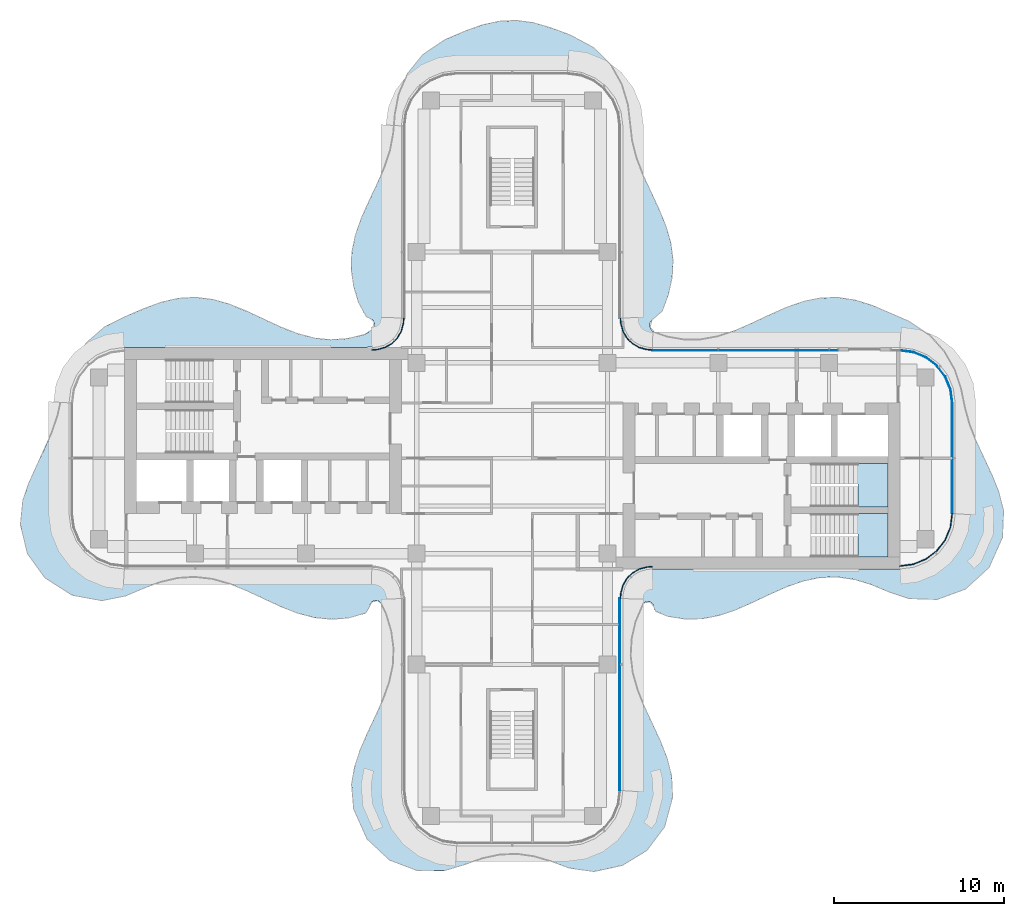
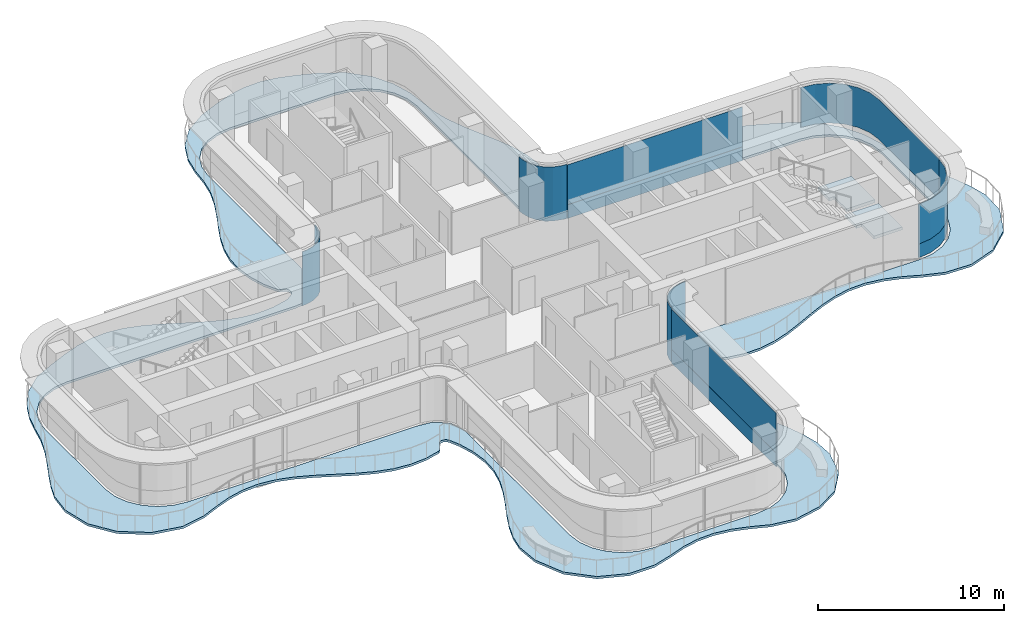
# One storey, part 9 of 17: 10 plates, 3 slabs, 9 elements without a shape of their own.
"""IFC4 building model written with IfcOpenShell, lengths in metres."""

from ifc_helpers import new_model, si_unit, direction, frame, origin, place, context, subcontext, project, spatial, polyline, outline, extrude, source, transform, mapped, material, layer, layer_set, type_object, element, aggregate, save


model = new_model("IFC4")

# Units and contexts
model_context = context("Model", 3, precision=1e-05, world=origin(), true_north=direction((0.0, 1.0)))
body_context = subcontext(model_context, "Body", "Model", "MODEL_VIEW")
ifc_project = project(units=[si_unit("LENGTHUNIT", "METRE"), si_unit("AREAUNIT", "SQUARE_METRE"), si_unit("VOLUMEUNIT", "CUBIC_METRE"), si_unit("PLANEANGLEUNIT", "RADIAN"), si_unit("MASSUNIT", "GRAM", prefix="KILO")], contexts=[model_context])

# Site, building, storey
site_placement = place(None, origin())
site = spatial("IfcSite", under=ifc_project, at=site_placement, CompositionType="ELEMENT")
building_placement = place(site_placement, origin())
building = spatial("IfcBuilding", under=site, at=building_placement, Name="Trellis Farm Tower", CompositionType="ELEMENT")
storey_placement = place(building_placement, frame((0.0, 0.0, 295.0)))
storey = spatial("IfcBuildingStorey", under=building, at=storey_placement, Name="L66", CompositionType="ELEMENT", Elevation=295.0)

# Slab
ifc_material_1 = material(Name="Concrete C40/50", Category="concrete")
ifc_layer_1 = layer(ifc_material_1, 0.14990234375)
ifc_layer_set_1 = layer_set([ifc_layer_1], Name="Balcony slab 150")
slab_type_1 = type_object("IfcSlabType", Name="Balcony slab 150", PredefinedType="FLOOR", material=ifc_layer_set_1)
slab_1_placement = place(storey_placement, frame((0.0, 0.0, -0.14990234375)))
element("IfcSlab", 1, at=slab_1_placement, inside=storey, type_object=slab_type_1, Name="Balcony slab", PredefinedType="FLOOR", context=body_context, shape_type="SweptSolid", body=[
    extrude(outline(polyline([(-19.635986328125, -7.02197265625), (-20.61669921875, -7.2529296875), (-20.62548828125, -7.255615234375), (-21.589111328125, -7.6123046875), (-21.592529296875, -7.61376953125), (-22.6533203125, -8.066650390625), (-22.6826171875, -8.075927734375), (-24.070556640625, -8.35302734375), (-24.099609375, -8.35595703125), (-24.13720703125, -8.356201171875), (-24.166259765625, -8.353271484375), (-25.81689453125, -8.03271484375), (-25.844482421875, -8.0244140625), (-25.879150390625, -8.010498046875), (-25.90478515625, -7.9970703125), (-27.396484375, -7.02685546875), (-27.418212890625, -7.009521484375), (-27.444580078125, -6.984375), (-27.462890625, -6.96337890625), (-28.421875, -5.62158203125), (-28.436279296875, -5.596435546875), (-28.451904296875, -5.56201171875), (-28.461181640625, -5.53466796875), (-28.85009765625, -3.895263671875), (-28.853515625, -3.84521484375), (-28.715576171875, -2.49609375), (-28.7080078125, -2.462646484375), (-28.37646484375, -1.497802734375), (-28.371826171875, -1.486083984375), (-27.93701171875, -0.499267578125), (-27.935302734375, -0.495361328125), (-27.461181640625, 0.503173828125), (-27.46044921875, 0.505126953125), (-27.01904296875, 1.509765625), (-27.0166015625, 1.515625), (-26.677001953125, 2.51318359375), (-26.6748046875, 2.521240234375), (-26.4482421875, 3.552734375), (-26.447021484375, 3.558349609375), (-26.17138671875, 4.61328125), (-26.16455078125, 4.63330078125), (-25.736083984375, 5.65869140625), (-25.72216796875, 5.6845703125), (-25.007080078125, 6.74853515625), (-24.981689453125, 6.777587890625), (-23.93505859375, 7.69775390625), (-23.90185546875, 7.7197265625), (-22.6650390625, 8.325439453125), (-22.658203125, 8.32861328125), (-21.598876953125, 8.783935546875), (-21.591552734375, 8.786865234375), (-20.5986328125, 9.15283203125), (-20.580322265625, 9.158203125), (-19.59912109375, 9.38427734375), (-19.57421875, 9.3876953125), (-18.60009765625, 9.445068359375), (-18.573486328125, 9.444091796875), (-17.6015625, 9.3271484375), (-17.5791015625, 9.32275390625), (-16.621337890625, 9.053466796875), (-16.60595703125, 9.048095703125), (-15.6044921875, 8.64501953125), (-15.597412109375, 8.641845703125), (-13.599609375, 7.711181640625), (-13.59521484375, 7.70947265625), (-12.5927734375, 7.31640625), (-12.58447265625, 7.313720703125), (-11.5869140625, 7.05126953125), (-11.575439453125, 7.049072265625), (-10.647705078125, 6.954345703125), (-10.634765625, 6.9541015625), (-9.645751953125, 7.025634765625), (-9.633544921875, 7.027587890625), (-8.681640625, 7.2578125), (-8.66845703125, 7.26220703125), (-8.56494140625, 7.30908203125), (-8.552978515625, 7.31591796875), (-8.21875, 7.548583984375), (-8.202392578125, 7.564208984375), (-8.095947265625, 7.70166015625), (-8.080810546875, 7.7451171875), (-8.077880859375, 7.93798828125), (-8.086669921875, 7.974365234375), (-8.1494140625, 8.090087890625), (-8.173583984375, 8.11669921875), (-8.2919921875, 8.19482421875), (-8.308349609375, 8.202880859375), (-8.493408203125, 8.2685546875), (-8.5419921875, 8.297119140625), (-8.59228515625, 8.3408203125), (-8.627197265625, 8.385498046875), (-8.998291015625, 9.111572265625), (-9.00830078125, 9.13671875), (-9.293212890625, 10.083984375), (-9.2978515625, 10.105712890625), (-9.43798828125, 11.077880859375), (-9.439453125, 11.104248046875), (-9.406005859375, 12.07763671875), (-9.403076171875, 12.10302734375), (-9.198974609375, 13.083251953125), (-9.193603515625, 13.1025390625), (-8.844970703125, 14.09130859375), (-8.840576171875, 14.1025390625), (-8.39599609375, 15.09912109375), (-8.39453125, 15.102294921875), (-7.91845703125, 16.10595703125), (-7.91748046875, 16.108154296875), (-7.494140625, 17.083251953125), (-7.49169921875, 17.08935546875), (-7.164794921875, 18.0712890625), (-7.162353515625, 18.081298828125), (-6.978515625, 19.07861328125), (-6.9775390625, 19.085693359375), (-6.88623046875, 20.165283203125), (-6.88427734375, 20.18017578125), (-6.669677734375, 21.3310546875), (-6.660400390625, 21.36181640625), (-6.17041015625, 22.52880859375), (-6.149169921875, 22.564697265625), (-5.271484375, 23.65771484375), (-5.23876953125, 23.687744140625), (-3.98291015625, 24.540771484375), (-3.957763671875, 24.5546875), (-2.756103515625, 25.068115234375), (-2.748046875, 25.0712890625), (-1.768310546875, 25.423828125), (-1.74951171875, 25.429443359375), (-0.7470703125, 25.64697265625), (-0.7216796875, 25.650390625), (0.252197265625, 25.691650390625), (0.2783203125, 25.6904296875), (1.224365234375, 25.563720703125), (1.24658203125, 25.558837890625), (2.248291015625, 25.265869140625), (2.258056640625, 25.2626953125), (3.3837890625, 24.848388671875), (3.402587890625, 24.840087890625), (4.750732421875, 24.123291015625), (4.785888671875, 24.097412109375), (5.79248046875, 23.098388671875), (5.818115234375, 23.064453125), (6.431396484375, 21.952880859375), (6.443603515625, 21.92333984375), (6.791748046875, 20.762939453125), (6.797119140625, 20.738525390625), (6.93505859375, 19.639892578125), (6.935302734375, 19.63671875), (7.040771484375, 18.631103515625), (7.042724609375, 18.6201171875), (7.29833984375, 17.624267578125), (7.301025390625, 17.615966796875), (7.697998046875, 16.59375), (7.69970703125, 16.589111328125), (8.621826171875, 14.610595703125), (8.624755859375, 14.603759765625), (9.026123046875, 13.6201171875), (9.03125, 13.60498046875), (9.31298828125, 12.629150390625), (9.31787109375, 12.6064453125), (9.4423828125, 11.635009765625), (9.443603515625, 11.60791015625), (9.39013671875, 10.605224609375), (9.38671875, 10.580078125), (9.165771484375, 9.606689453125), (9.160400390625, 9.58837890625), (8.826171875, 8.67236328125), (8.807373046875, 8.63671875), (8.777587890625, 8.5947265625), (8.751220703125, 8.56640625), (8.19873046875, 8.1083984375), (8.1826171875, 8.089599609375), (8.09033203125, 7.936279296875), (8.080078125, 7.892578125), (8.0947265625, 7.713623046875), (8.100341796875, 7.691162109375), (8.1357421875, 7.606201171875), (8.143310546875, 7.59228515625), (8.212158203125, 7.4921875), (8.234619140625, 7.470947265625), (8.33837890625, 7.407470703125), (8.3525390625, 7.400634765625), (9.076171875, 7.144775390625), (9.088623046875, 7.141357421875), (10.073486328125, 6.97314453125), (10.08642578125, 6.971923828125), (11.072509765625, 6.97900390625), (11.08544921875, 6.97998046875), (12.079345703125, 7.162109375), (12.089599609375, 7.164794921875), (13.118408203125, 7.509521484375), (13.12451171875, 7.511962890625), (14.1005859375, 7.93896484375), (14.102783203125, 7.93994140625), (15.10595703125, 8.416015625), (15.109619140625, 8.41748046875), (16.105712890625, 8.85888671875), (16.117431640625, 8.863525390625), (17.105712890625, 9.206298828125), (17.12548828125, 9.2119140625), (18.105224609375, 9.408447265625), (18.130859375, 9.411376953125), (19.10400390625, 9.436767578125), (19.13037109375, 9.43505859375), (20.102294921875, 9.28759765625), (20.1240234375, 9.28271484375), (21.10107421875, 8.981689453125), (21.114990234375, 8.976806640625), (22.09912109375, 8.5634765625), (22.101806640625, 8.562255859375), (23.27734375, 8.0439453125), (23.300048828125, 8.031494140625), (24.485595703125, 7.2412109375), (24.513916015625, 7.216796875), (25.35546875, 6.278076171875), (25.374267578125, 6.251953125), (25.965087890625, 5.210693359375), (25.976806640625, 5.184326171875), (26.3369140625, 4.105712890625), (26.341796875, 4.087890625), (26.56396484375, 2.993896484375), (26.565185546875, 2.989013671875), (26.841796875, 1.983642578125), (26.844482421875, 1.975830078125), (27.237548828125, 0.991943359375), (27.2392578125, 0.98828125), (28.161865234375, -0.99072265625), (28.165283203125, -0.99853515625), (28.55712890625, -1.979736328125), (28.56298828125, -1.99755859375), (28.83203125, -3.031005859375), (28.8369140625, -3.07421875), (28.783935546875, -4.576904296875), (28.7802734375, -4.605224609375), (28.77197265625, -4.64111328125), (28.76318359375, -4.668212890625), (28.018310546875, -6.35791015625), (28.0029296875, -6.385009765625), (27.9794921875, -6.41748046875), (27.958740234375, -6.44091796875), (26.62353515625, -7.65771484375), (26.60009765625, -7.67529296875), (26.567138671875, -7.695068359375), (26.54052734375, -7.707763671875), (24.96240234375, -8.27490234375), (24.935546875, -8.28173828125), (24.900146484375, -8.287353515625), (24.87158203125, -8.289306640625), (23.32861328125, -8.239990234375), (23.285888671875, -8.232421875), (22.110595703125, -7.84033203125), (22.10009765625, -7.83642578125), (21.086669921875, -7.413330078125), (21.079833984375, -7.410888671875), (20.13134765625, -7.11962890625), (20.120361328125, -7.1171875), (19.077392578125, -6.96240234375), (19.06396484375, -6.961669921875), (18.07958984375, -6.9951171875), (18.067138671875, -6.99658203125), (17.08642578125, -7.19921875), (17.076904296875, -7.201904296875), (16.094482421875, -7.545654296875), (16.0888671875, -7.5478515625), (15.1025390625, -7.985595703125), (15.100830078125, -7.986572265625), (14.106201171875, -8.45849609375), (14.10205078125, -8.46044921875), (13.106201171875, -8.8955078125), (13.09423828125, -8.900146484375), (12.1298828125, -9.225341796875), (12.10986328125, -9.23046875), (11.13720703125, -9.41552734375), (11.111328125, -9.418212890625), (10.13916015625, -9.4326171875), (10.11279296875, -9.4306640625), (9.147705078125, -9.273681640625), (9.115478515625, -9.2646484375), (8.42626953125, -8.984619140625), (8.334228515625, -8.8662109375), (8.31298828125, -8.714599609375), (8.30859375, -8.69775390625), (8.248291015625, -8.543701171875), (8.22314453125, -8.510986328125), (8.099609375, -8.4208984375), (8.06103515625, -8.406982421875), (7.908447265625, -8.397216796875), (7.868408203125, -8.406005859375), (7.72509765625, -8.48486328125), (7.7080078125, -8.49755859375), (7.657470703125, -8.54833984375), (7.647216796875, -8.560791015625), (7.574951171875, -8.674560546875), (7.567626953125, -8.689208984375), (7.24169921875, -9.582275390625), (7.239013671875, -9.59130859375), (7.01513671875, -10.572021484375), (7.013427734375, -10.584228515625), (6.955810546875, -11.56787109375), (6.956298828125, -11.581298828125), (7.07568359375, -12.572265625), (7.078125, -12.583740234375), (7.373291015625, -13.617431640625), (7.3759765625, -13.625244140625), (7.77783203125, -14.609619140625), (7.779296875, -14.61279296875), (8.701416015625, -16.591796875), (8.705322265625, -16.600830078125), (9.094482421875, -17.601806640625), (9.10009765625, -17.618896484375), (9.35302734375, -18.601806640625), (9.357666015625, -18.632080078125), (9.417724609375, -19.85693359375), (9.4130859375, -19.902587890625), (8.975830078125, -21.5615234375), (8.9658203125, -21.588623046875), (8.949462890625, -21.62255859375), (8.93408203125, -21.6474609375), (7.9208984375, -22.9931640625), (7.901611328125, -23.01416015625), (7.87451171875, -23.038818359375), (7.851806640625, -23.055908203125), (6.51171875, -23.871337890625), (6.4658203125, -23.8896484375), (4.837158203125, -24.245361328125), (4.81005859375, -24.24853515625), (4.776123046875, -24.249755859375), (4.749755859375, -24.248291015625), (3.365478515625, -24.047607421875), (3.33447265625, -24.03955078125), (2.2626953125, -23.63916015625), (2.257568359375, -23.637451171875), (1.27978515625, -23.348876953125), (1.26904296875, -23.346435546875), (0.287353515625, -23.210693359375), (0.274169921875, -23.210205078125), (-0.713134765625, -23.249267578125), (-0.725830078125, -23.2509765625), (-1.72119140625, -23.462890625), (-1.730712890625, -23.4658203125), (-2.747802734375, -23.828125), (-2.75439453125, -23.830322265625), (-3.946533203125, -24.19287109375), (-3.989501953125, -24.19921875), (-5.487548828125, -24.20556640625), (-5.5146484375, -24.203125), (-5.54931640625, -24.197021484375), (-5.575439453125, -24.189697265625), (-7.1416015625, -23.603515625), (-7.168212890625, -23.590087890625), (-7.200927734375, -23.56982421875), (-7.224609375, -23.5517578125), (-8.510986328125, -22.33984375), (-8.531005859375, -22.31689453125), (-8.553466796875, -22.284912109375), (-8.568115234375, -22.25830078125), (-9.295654296875, -20.5869140625), (-9.3076171875, -20.539306640625), (-9.422119140625, -19.14013671875), (-9.420166015625, -19.10205078125), (-9.248779296875, -18.122802734375), (-9.243408203125, -18.1015625), (-8.918212890625, -17.114501953125), (-8.913330078125, -17.101806640625), (-8.481689453125, -16.106689453125), (-8.479736328125, -16.10205078125), (-8.00439453125, -15.099609375), (-8.00341796875, -15.09814453125), (-7.555908203125, -14.093017578125), (-7.5537109375, -14.087646484375), (-7.21484375, -13.131103515625), (-7.21240234375, -13.12158203125), (-7.00244140625, -12.140869140625), (-7.0009765625, -12.12841796875), (-6.95947265625, -11.144287109375), (-6.9599609375, -11.131103515625), (-7.09521484375, -10.13916015625), (-7.09765625, -10.128173828125), (-7.390869140625, -9.13916015625), (-7.39501953125, -9.12890625), (-7.669189453125, -8.543212890625), (-7.6787109375, -8.528076171875), (-7.7646484375, -8.421875), (-7.7919921875, -8.400634765625), (-7.908935546875, -8.3486328125), (-7.94287109375, -8.34228515625), (-8.07080078125, -8.34912109375), (-8.103759765625, -8.35888671875), (-8.214599609375, -8.422607421875), (-8.23974609375, -8.446533203125), (-8.314697265625, -8.56201171875), (-8.322021484375, -8.576416015625), (-8.376953125, -8.723388671875), (-8.389404296875, -8.7490234375), (-8.584228515625, -9.0673828125), (-8.67529296875, -9.134521484375), (-9.584716796875, -9.364990234375), (-9.609619140625, -9.369384765625), (-10.580810546875, -9.447265625), (-10.607666015625, -9.447021484375), (-11.5830078125, -9.35009765625), (-11.606689453125, -9.345703125), (-12.60888671875, -9.07861328125), (-12.62548828125, -9.0732421875), (-13.607666015625, -8.685302734375), (-13.615966796875, -8.681884765625), (-15.594970703125, -7.75927734375), (-15.598388671875, -7.7578125), (-16.582763671875, -7.360107421875), (-16.59033203125, -7.357421875), (-17.5712890625, -7.07958984375), (-17.5830078125, -7.0771484375), (-18.626953125, -6.955078125), (-18.640625, -6.95458984375), (-19.623779296875, -7.02001953125), (-19.635986328125, -7.02197265625)]), holes=[polyline([(-6.82470703125, 7.20947265625), (-6.8583984375, 7.1640625), (-6.89111328125, 7.1318359375), (-7.57177734375, 6.643310546875), (-7.605712890625, 6.625), (-7.6513671875, 6.607666015625), (-7.68896484375, 6.5986328125), (-8.61328125, 6.500732421875), (-8.61767578125, 6.50048828125), (-22.75, 6.50048828125), (-23.59130859375, 6.389892578125), (-24.375244140625, 6.065185546875), (-25.048583984375, 5.548583984375), (-25.565185546875, 4.875244140625), (-25.889892578125, 4.09130859375), (-26.00048828125, 3.25), (-26.00048828125, -3.25), (-25.889892578125, -4.09130859375), (-25.565185546875, -4.875244140625), (-25.048583984375, -5.548583984375), (-24.375244140625, -6.065185546875), (-23.59130859375, -6.389892578125), (-22.75, -6.50048828125), (-8.61767578125, -6.50048828125), (-8.61328125, -6.500732421875), (-7.68896484375, -6.5986328125), (-7.6513671875, -6.607666015625), (-7.605712890625, -6.625), (-7.57177734375, -6.643310546875), (-6.89111328125, -7.1318359375), (-6.8583984375, -7.1640625), (-6.82470703125, -7.20947265625), (-6.802734375, -7.25146484375), (-6.515380859375, -8.11474609375), (-6.5078125, -8.162109375), (-6.50048828125, -18.239013671875), (-6.50048828125, -19.5), (-6.389892578125, -20.34130859375), (-6.065185546875, -21.125244140625), (-5.548583984375, -21.798583984375), (-4.875244140625, -22.315185546875), (-4.09130859375, -22.639892578125), (-3.25, -22.75048828125), (3.25, -22.75048828125), (4.09130859375, -22.639892578125), (4.875244140625, -22.315185546875), (5.548583984375, -21.798583984375), (6.065185546875, -21.125244140625), (6.389892578125, -20.34130859375), (6.50048828125, -19.5), (6.50048828125, -12.636962890625), (6.5009765625, -8.607421875), (6.501953125, -8.59130859375), (6.599365234375, -7.68603515625), (6.6083984375, -7.6484375), (6.6259765625, -7.602783203125), (6.644287109375, -7.568603515625), (7.134521484375, -6.889404296875), (7.166748046875, -6.856689453125), (7.2119140625, -6.822998046875), (7.254150390625, -6.80126953125), (8.117919921875, -6.51513671875), (8.164794921875, -6.507568359375), (20.985107421875, -6.50048828125), (22.75, -6.50048828125), (23.59130859375, -6.389892578125), (24.375244140625, -6.065185546875), (25.048583984375, -5.548583984375), (25.565185546875, -4.875244140625), (25.889892578125, -4.09130859375), (26.00048828125, -3.25), (26.00048828125, 3.25), (25.889892578125, 4.09130859375), (25.565185546875, 4.875244140625), (25.048583984375, 5.548583984375), (24.375244140625, 6.065185546875), (23.59130859375, 6.389892578125), (22.75, 6.50048828125), (20.985107421875, 6.50048828125), (8.164794921875, 6.507568359375), (8.117919921875, 6.51513671875), (7.254150390625, 6.80126953125), (7.2119140625, 6.822998046875), (7.166748046875, 6.856689453125), (7.134521484375, 6.889404296875), (6.644287109375, 7.568603515625), (6.6259765625, 7.602783203125), (6.6083984375, 7.6484375), (6.599365234375, 7.686279296875), (6.500732421875, 8.610107421875), (6.50048828125, 8.614990234375), (6.50048828125, 19.5), (6.389892578125, 20.34130859375), (6.065185546875, 21.125244140625), (5.548583984375, 21.798583984375), (4.875244140625, 22.315185546875), (4.09130859375, 22.639892578125), (3.25, 22.75048828125), (-3.25, 22.75048828125), (-4.09130859375, 22.639892578125), (-4.875244140625, 22.315185546875), (-5.548583984375, 21.798583984375), (-6.065185546875, 21.125244140625), (-6.389892578125, 20.34130859375), (-6.50048828125, 19.5), (-6.50048828125, 17.03369140625), (-6.5078125, 8.162109375), (-6.515380859375, 8.11474609375), (-6.802734375, 7.25146484375), (-6.82470703125, 7.20947265625)])]), origin(), (0.0, 0.0, 1.0), 0.14990234375),
])

# Curtain wall, plates
ifc_material_2 = material(Name="Aluminium and glass curtain wall", Category="aluminium")
ifc_layer_2 = layer(ifc_material_2, 0.18994140625)
ifc_layer_set_2 = layer_set([ifc_layer_2], Name="RIBBON CURTAIN WALL CW1")
curtain_wall_type_1 = type_object("IfcCurtainWallType", Name="RIBBON CURTAIN WALL CW1", PredefinedType="NOTDEFINED", material=ifc_layer_set_2)
placement_1 = place(storey_placement, origin())
curtain_wall_1 = element("IfcCurtainWall", 2, at=placement_1, inside=storey, type_object=curtain_wall_type_1, Name="CW1 008", PredefinedType="NOTDEFINED")
ifc_material_3 = material(Name="Clear insulated glass", Category="glass")
ifc_layer_3 = layer(ifc_material_3, 0.0400390625)
ifc_layer_set_3 = layer_set([ifc_layer_3], Name="CW1 GLASS PANEL 40")
plate_type_1 = type_object("IfcPlateType", Name="CW1 GLASS PANEL 40", PredefinedType="CURTAIN_PANEL", material=ifc_layer_set_3)
placement_2 = place(storey_placement, frame((0.0, 0.0, 0.89990234375)))
plate_1 = element("IfcPlate", 3, at=placement_2, type_object=plate_type_1, Name="PL1 008", PredefinedType="CURTAIN_PANEL", context=body_context, shape_type="SweptSolid", body=[
    extrude(outline(polyline([(19.114990234375, 6.35009765625), (8.2265625, 6.35009765625), (8.22509765625, 6.31005859375), (19.114990234375, 6.31005859375), (19.114990234375, 6.35009765625)])), origin(), (0.0, 0.0, 1.0), 2.6201171875),
])
ifc_material_4 = material(Name="Sandstone faced insulated panel", Category="masonry")
ifc_layer_4 = layer(ifc_material_4, 0.050048828125)
ifc_layer_set_4 = layer_set([ifc_layer_4], Name="CW1 STONE SPANDREL PANEL 50")
plate_type_2 = type_object("IfcPlateType", Name="CW1 STONE SPANDREL PANEL 50", PredefinedType="CURTAIN_PANEL", material=ifc_layer_set_4)
plate_2 = element("IfcPlate", 4, at=placement_1, type_object=plate_type_2, Name="PS1 008", PredefinedType="CURTAIN_PANEL", context=body_context, shape_type="SweptSolid", body=[
    extrude(outline(polyline([(19.114990234375, 6.35009765625), (8.2265625, 6.35009765625), (8.224853515625, 6.300048828125), (19.114990234375, 6.300048828125), (19.114990234375, 6.35009765625)])), origin(), (0.0, 0.0, 1.0), 0.89990234375),
])
aggregate(curtain_wall_1, [plate_1, plate_2])

# Stair, slab
ifc_material_5 = material(Name="Concrete C50/60", Category="concrete")
stair_type = type_object("IfcStairType", Name="CORE EXIT STAIR 22 RISERS 177 MM", PredefinedType="HALF_TURN_STAIR", material=ifc_material_5)
stair_1 = element("IfcStair", 5, at=placement_1, inside=storey, type_object=stair_type, Name="Exit stair E1", PredefinedType="HALF_TURN_STAIR")
ifc_layer_5 = layer(ifc_material_5, 0.18994140625)
ifc_layer_set_5 = layer_set([ifc_layer_5], Name="CORE STAIR LANDING 190 CONCRETE C50/60")
slab_type_2 = type_object("IfcSlabType", Name="CORE STAIR LANDING 190 CONCRETE C50/60", PredefinedType="LANDING", material=ifc_layer_set_5)
shared_shape_1 = source(origin(), body_context, "Body", "SweptSolid", [
    extrude(outline(polyline([(20.2900390625, -5.800048828125), (20.2900390625, -4.60009765625), (20.300048828125, -4.60009765625), (20.300048828125, -4.449951171875), (19.971923828125, -4.449951171875), (19.971923828125, -3.25), (20.300048828125, -3.25), (22.050048828125, -3.25), (22.050048828125, -5.800048828125), (20.300048828125, -5.800048828125), (20.2900390625, -5.800048828125)])), origin(), (0.0, 0.0, 1.0), 0.18994140625),
])
placement_3 = place(storey_placement, frame((0.0, 0.0, 1.760009765625)))
slab_2 = element("IfcSlab", 6, at=placement_3, type_object=slab_type_2, Name="STE1 landing 1", PredefinedType="LANDING", context=body_context, shape_type="MappedRepresentation", body=[
    mapped(shared_shape_1, transform((0.0, 0.0, 0.0))),
])
aggregate(stair_1, [slab_2])

stair_2 = element("IfcStair", 7, at=placement_1, inside=storey, type_object=stair_type, Name="Exit stair E2", PredefinedType="HALF_TURN_STAIR")
shared_shape_2 = source(origin(), body_context, "Body", "SweptSolid", [
    extrude(outline(polyline([(20.2900390625, -2.85009765625), (20.2900390625, -1.64990234375), (20.300048828125, -1.64990234375), (20.300048828125, -1.5), (19.971923828125, -1.5), (19.971923828125, -0.300048828125), (20.300048828125, -0.300048828125), (22.050048828125, -0.300048828125), (22.050048828125, -2.85009765625), (20.300048828125, -2.85009765625), (20.2900390625, -2.85009765625)])), origin(), (0.0, 0.0, 1.0), 0.18994140625),
])
slab_3 = element("IfcSlab", 8, at=placement_3, type_object=slab_type_2, Name="STE2 landing 1", PredefinedType="LANDING", context=body_context, shape_type="MappedRepresentation", body=[
    mapped(shared_shape_2, transform((0.0, 0.0, 0.0))),
])
aggregate(stair_2, [slab_3])

# Curtain wall, plate
ifc_layer_6 = layer(ifc_material_2, 0.166015625)
ifc_layer_set_6 = layer_set([ifc_layer_6], Name="WINTER GARDEN CURTAIN WALL CW3")
curtain_wall_type_2 = type_object("IfcCurtainWallType", Name="WINTER GARDEN CURTAIN WALL CW3", PredefinedType="NOTDEFINED", material=ifc_layer_set_6)
curtain_wall_2 = element("IfcCurtainWall", 9, at=placement_1, inside=storey, type_object=curtain_wall_type_2, Name="CW3 002", PredefinedType="NOTDEFINED")
ifc_layer_7 = layer(ifc_material_3, 0.0458984375)
ifc_layer_set_7 = layer_set([ifc_layer_7], Name="CW3 GLASS PANEL 46")
plate_type_3 = type_object("IfcPlateType", Name="CW3 GLASS PANEL 46", PredefinedType="CURTAIN_PANEL", material=ifc_layer_set_7)
shared_shape_3 = source(origin(), body_context, "Body", "SweptSolid", [
    extrude(outline(polyline([(6.3798828125, -8.2275390625), (6.394287109375, -8.0078125), (6.40966796875, -7.89208984375), (6.52490234375, -7.462158203125), (6.7509765625, -7.070556640625), (7.070556640625, -6.7509765625), (7.462158203125, -6.52490234375), (7.89208984375, -6.40966796875), (8.0078125, -6.394287109375), (8.2275390625, -6.3798828125), (8.22607421875, -6.333984375), (8.003173828125, -6.3486328125), (7.883056640625, -6.364501953125), (7.4443359375, -6.48193359375), (7.04248046875, -6.714111328125), (6.714111328125, -7.04248046875), (6.48193359375, -7.4443359375), (6.364501953125, -7.883056640625), (6.3486328125, -8.003173828125), (6.333984375, -8.22607421875), (6.3798828125, -8.2275390625)])), origin(), (0.0, 0.0, 1.0), 3.550048828125),
])
plate_3 = element("IfcPlate", 10, at=placement_1, type_object=plate_type_3, Name="PL3 002", PredefinedType="CURTAIN_PANEL", context=body_context, shape_type="MappedRepresentation", body=[
    mapped(shared_shape_3, transform((0.0, 0.0, 0.0))),
])
aggregate(curtain_wall_2, [plate_3])

curtain_wall_3 = element("IfcCurtainWall", 11, at=placement_1, inside=storey, type_object=curtain_wall_type_2, Name="CW3 003", PredefinedType="NOTDEFINED")
shared_shape_4 = source(origin(), body_context, "Body", "SweptSolid", [
    extrude(outline(polyline([(8.2275390625, 6.3798828125), (8.0078125, 6.394287109375), (7.89208984375, 6.40966796875), (7.462158203125, 6.52490234375), (7.070556640625, 6.7509765625), (6.7509765625, 7.070556640625), (6.52490234375, 7.462158203125), (6.40966796875, 7.89208984375), (6.394287109375, 8.0078125), (6.3798828125, 8.2275390625), (6.333984375, 8.22607421875), (6.3486328125, 8.003173828125), (6.364501953125, 7.883056640625), (6.48193359375, 7.4443359375), (6.714111328125, 7.04248046875), (7.04248046875, 6.714111328125), (7.4443359375, 6.48193359375), (7.883056640625, 6.364501953125), (8.003173828125, 6.3486328125), (8.22607421875, 6.333984375), (8.2275390625, 6.3798828125)])), origin(), (0.0, 0.0, 1.0), 3.550048828125),
])
plate_4 = element("IfcPlate", 12, at=placement_1, type_object=plate_type_3, Name="PL3 003", PredefinedType="CURTAIN_PANEL", context=body_context, shape_type="MappedRepresentation", body=[
    mapped(shared_shape_4, transform((0.0, 0.0, 0.0))),
])
aggregate(curtain_wall_3, [plate_4])

curtain_wall_4 = element("IfcCurtainWall", 13, at=placement_1, inside=storey, type_object=curtain_wall_type_2, Name="CW3 004", PredefinedType="NOTDEFINED")
shared_shape_5 = source(origin(), body_context, "Body", "SweptSolid", [
    extrude(outline(polyline([(-6.3798828125, 8.2275390625), (-6.394287109375, 8.0078125), (-6.40966796875, 7.89208984375), (-6.52490234375, 7.462158203125), (-6.7509765625, 7.070556640625), (-7.070556640625, 6.7509765625), (-7.462158203125, 6.52490234375), (-7.89208984375, 6.40966796875), (-8.0078125, 6.394287109375), (-8.2275390625, 6.3798828125), (-8.22607421875, 6.333984375), (-8.003173828125, 6.3486328125), (-7.883056640625, 6.364501953125), (-7.4443359375, 6.48193359375), (-7.04248046875, 6.714111328125), (-6.714111328125, 7.04248046875), (-6.48193359375, 7.4443359375), (-6.364501953125, 7.883056640625), (-6.3486328125, 8.003173828125), (-6.333984375, 8.22607421875), (-6.3798828125, 8.2275390625)])), origin(), (0.0, 0.0, 1.0), 3.550048828125),
])
plate_5 = element("IfcPlate", 14, at=placement_1, type_object=plate_type_3, Name="PL3 004", PredefinedType="CURTAIN_PANEL", context=body_context, shape_type="MappedRepresentation", body=[
    mapped(shared_shape_5, transform((0.0, 0.0, 0.0))),
])
aggregate(curtain_wall_4, [plate_5])

# Curtain wall, plates
curtain_wall_5 = element("IfcCurtainWall", 15, at=placement_1, inside=storey, type_object=curtain_wall_type_1, Name="CW1 005", PredefinedType="NOTDEFINED")
shared_shape_6 = source(origin(), body_context, "Body", "SweptSolid", [
    extrude(outline(polyline([(22.740234375, -6.35009765625), (23.552001953125, -6.2431640625), (24.29931640625, -5.93359375), (24.941162109375, -5.441162109375), (25.43359375, -4.79931640625), (25.7431640625, -4.052001953125), (25.85009765625, -3.240234375), (25.81005859375, -3.237548828125), (25.7041015625, -4.04150390625), (25.398681640625, -4.779296875), (24.91259765625, -5.41259765625), (24.279296875, -5.898681640625), (23.54150390625, -6.2041015625), (22.737548828125, -6.31005859375), (22.740234375, -6.35009765625)])), origin(), (0.0, 0.0, 1.0), 2.6201171875),
])
plate_6 = element("IfcPlate", 16, at=placement_2, type_object=plate_type_1, Name="PL1 005", PredefinedType="CURTAIN_PANEL", context=body_context, shape_type="MappedRepresentation", body=[
    mapped(shared_shape_6, transform((0.0, 0.0, 0.0))),
])
shared_shape_7 = source(origin(), body_context, "Body", "SweptSolid", [
    extrude(outline(polyline([(22.740234375, -6.35009765625), (23.552001953125, -6.2431640625), (24.29931640625, -5.93359375), (24.941162109375, -5.441162109375), (25.43359375, -4.79931640625), (25.7431640625, -4.052001953125), (25.85009765625, -3.240234375), (25.800048828125, -3.23681640625), (25.6943359375, -4.0390625), (25.389892578125, -4.774169921875), (24.905517578125, -5.405517578125), (24.274169921875, -5.889892578125), (23.5390625, -6.1943359375), (22.73681640625, -6.300048828125), (22.740234375, -6.35009765625)])), origin(), (0.0, 0.0, 1.0), 0.89990234375),
])
plate_7 = element("IfcPlate", 17, at=placement_1, type_object=plate_type_2, Name="PS1 005", PredefinedType="CURTAIN_PANEL", context=body_context, shape_type="MappedRepresentation", body=[
    mapped(shared_shape_7, transform((0.0, 0.0, 0.0))),
])
aggregate(curtain_wall_5, [plate_6, plate_7])

# Curtain wall, plate
curtain_wall_6 = element("IfcCurtainWall", 18, at=placement_1, inside=storey, type_object=curtain_wall_type_1, Name="CW1 006", PredefinedType="NOTDEFINED")
shared_shape_8 = source(origin(), body_context, "Body", "SweptSolid", [
    extrude(outline(polyline([(25.85009765625, -3.240234375), (25.85009765625, 3.240234375), (25.7431640625, 4.052001953125), (25.43359375, 4.79931640625), (24.941162109375, 5.441162109375), (24.29931640625, 5.93359375), (23.552001953125, 6.2431640625), (22.740234375, 6.35009765625), (22.737548828125, 6.31005859375), (23.54150390625, 6.2041015625), (24.279296875, 5.898681640625), (24.91259765625, 5.41259765625), (25.398681640625, 4.779296875), (25.7041015625, 4.04150390625), (25.81005859375, 3.237548828125), (25.81005859375, -3.237548828125), (25.85009765625, -3.240234375)])), origin(), (0.0, 0.0, 1.0), 2.6201171875),
])
plate_8 = element("IfcPlate", 19, at=placement_2, type_object=plate_type_1, Name="PL1 006", PredefinedType="CURTAIN_PANEL", context=body_context, shape_type="MappedRepresentation", body=[
    mapped(shared_shape_8, transform((0.0, 0.0, 0.0))),
])
aggregate(curtain_wall_6, [plate_8])

# Curtain wall, plates
curtain_wall_7 = element("IfcCurtainWall", 20, at=placement_1, inside=storey, type_object=curtain_wall_type_1, Name="CW1 004", PredefinedType="NOTDEFINED")
shared_shape_9 = source(origin(), body_context, "Body", "SweptSolid", [
    extrude(outline(polyline([(6.35009765625, -19.490234375), (6.35009765625, -8.2265625), (6.31005859375, -8.22509765625), (6.31005859375, -19.487548828125), (6.35009765625, -19.490234375)])), origin(), (0.0, 0.0, 1.0), 2.6201171875),
])
plate_9 = element("IfcPlate", 21, at=placement_2, type_object=plate_type_1, Name="PL1 004", PredefinedType="CURTAIN_PANEL", context=body_context, shape_type="MappedRepresentation", body=[
    mapped(shared_shape_9, transform((0.0, 0.0, 0.0))),
])
shared_shape_10 = source(origin(), body_context, "Body", "SweptSolid", [
    extrude(outline(polyline([(6.35009765625, -19.490234375), (6.35009765625, -8.2265625), (6.300048828125, -8.224853515625), (6.300048828125, -19.48681640625), (6.35009765625, -19.490234375)])), origin(), (0.0, 0.0, 1.0), 0.89990234375),
])
plate_10 = element("IfcPlate", 22, at=placement_1, type_object=plate_type_2, Name="PS1 004", PredefinedType="CURTAIN_PANEL", context=body_context, shape_type="MappedRepresentation", body=[
    mapped(shared_shape_10, transform((0.0, 0.0, 0.0))),
])
aggregate(curtain_wall_7, [plate_9, plate_10])

save(model, "model.ifc")
